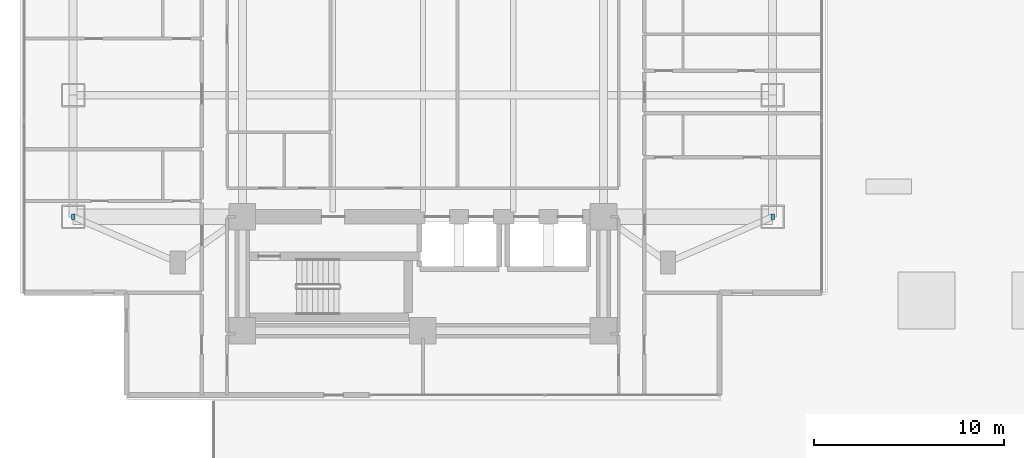
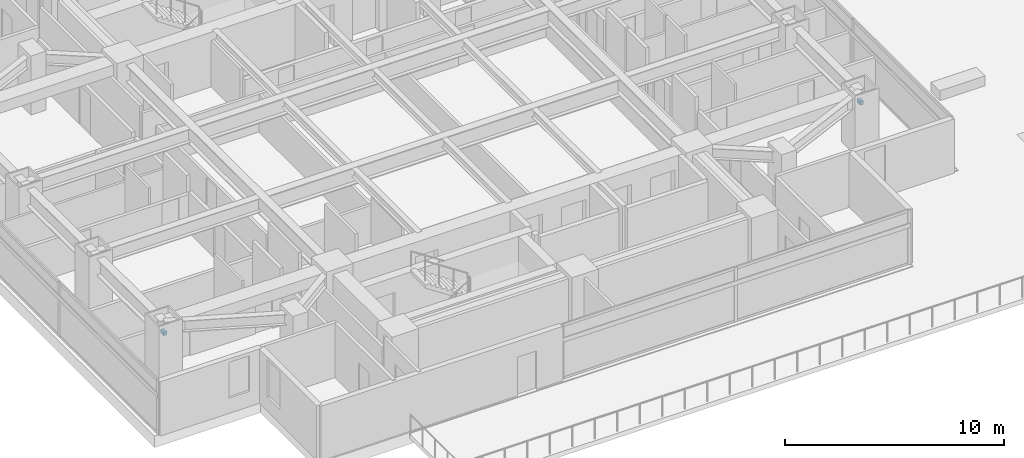
# One storey, part 19 of 26: 2 discrete accessories.
"""IFC4 building model written with IfcOpenShell, lengths in metres."""

from ifc_helpers import new_model, si_unit, direction, frame, origin, origin_2d, place, context, subcontext, project, spatial, rectangle, extrude, material, type_object, element, save


model = new_model("IFC4")

# Units and contexts
model_context = context("Model", 3, precision=1e-05, world=origin(), true_north=direction((0.0, 1.0)))
body_context = subcontext(model_context, "Body", "Model", "MODEL_VIEW")
ifc_project = project(units=[si_unit("LENGTHUNIT", "METRE"), si_unit("AREAUNIT", "SQUARE_METRE"), si_unit("VOLUMEUNIT", "CUBIC_METRE"), si_unit("PLANEANGLEUNIT", "RADIAN"), si_unit("MASSUNIT", "GRAM", prefix="KILO")], contexts=[model_context])

# Site, building, storey
site_placement = place(None, origin())
site = spatial("IfcSite", under=ifc_project, at=site_placement, CompositionType="ELEMENT")
building_placement = place(site_placement, origin())
building = spatial("IfcBuilding", under=site, at=building_placement, Name="Mirazonda Arch Towers", CompositionType="ELEMENT")
storey_placement = place(building_placement, frame((0.0, 0.0, 22.39990234375)))
storey = spatial("IfcBuildingStorey", under=building, at=storey_placement, Name="L05", CompositionType="ELEMENT", Elevation=22.39990234375)

# Discrete accessories
ifc_material = material(Name="Steel ASTM A572 Grade 50", Category="steel")
discrete_accessory_type = type_object("IfcDiscreteAccessoryType", Name="BRACKET-FACADE", PredefinedType="BRACKET", material=ifc_material)
for number, where, z_axis, x_axis, name in (
    (1, (2.10009765625, 18.39990234375, 2.30029296875), (0.0, 0.0, 1.0), (1.0, 0.0, 0.0), "L05 Facade Support Bracket 01"),
    (2, (38.89990234375, 18.39990234375, 2.30029296875), (0.0, 0.0, 1.0), (1.0, 0.0, 0.0), "L05 Facade Support Bracket 02"),
):
    element("IfcDiscreteAccessory", number, at=place(storey_placement, frame(where, z_axis=z_axis, x_axis=x_axis)), inside=storey, type_object=discrete_accessory_type, Name=name, PredefinedType="BRACKET", context=body_context, shape_type="SweptSolid", body=[
        extrude(rectangle(XDim=0.179931640625, YDim=0.280029296875, at=origin_2d()), origin(), (0.0, 0.0, 1.0), 0.199951171875),
    ])

save(model, "model.ifc")
